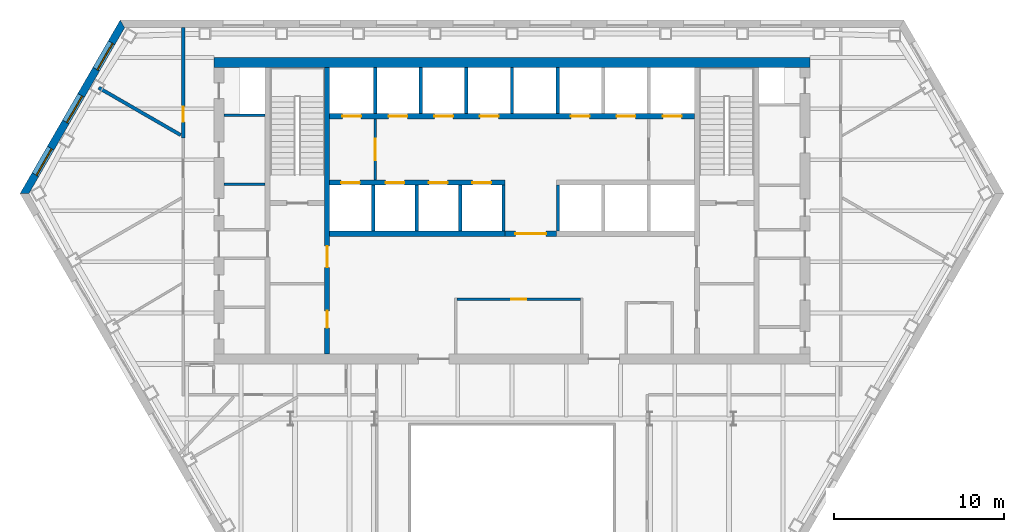
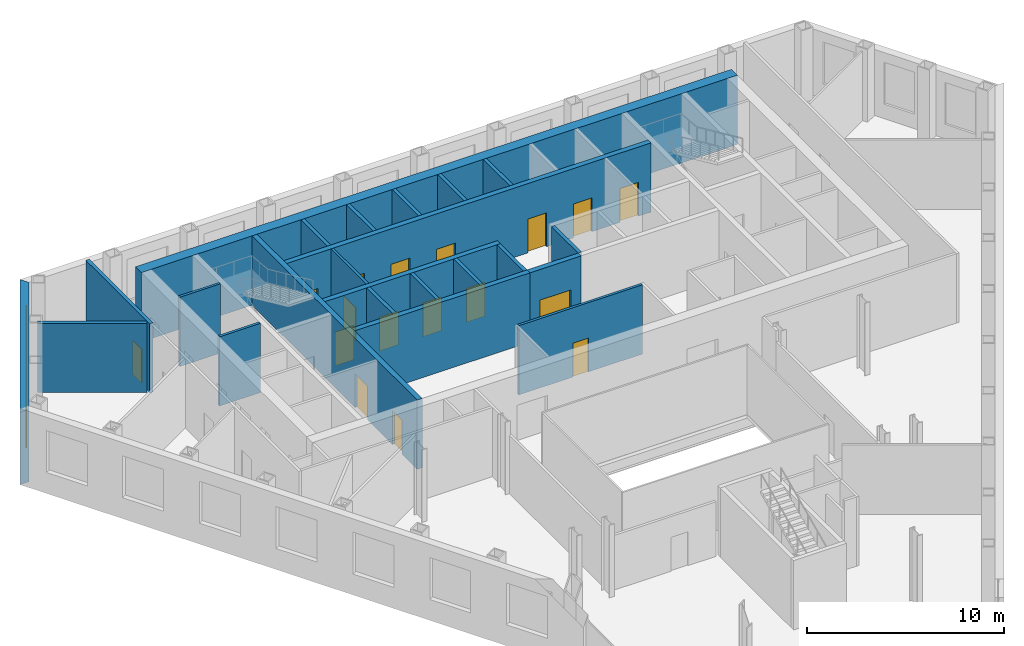
# One storey, part 6 of 11: 23 walls, 17 doors, 3 windows, 20 openings.
"""IFC4 building model written with IfcOpenShell, lengths in metres."""

from ifc_helpers import new_model, si_unit, direction, frame, frame_2d, origin, place, context, subcontext, project, spatial, polyline, rectangle, outline, extrude, material, layer, layer_set, type_object, element, fill, save


model = new_model("IFC4")

# Units and contexts
model_context = context("Model", 3, precision=1e-05, world=origin(), true_north=direction((0.0, 1.0)))
body_context = subcontext(model_context, "Body", "Model", "MODEL_VIEW")
ifc_project = project(units=[si_unit("LENGTHUNIT", "METRE"), si_unit("AREAUNIT", "SQUARE_METRE"), si_unit("VOLUMEUNIT", "CUBIC_METRE"), si_unit("PLANEANGLEUNIT", "RADIAN"), si_unit("MASSUNIT", "GRAM", prefix="KILO")], contexts=[model_context])

# Site, building, storey
site_placement = place(None, origin())
site = spatial("IfcSite", under=ifc_project, at=site_placement, CompositionType="ELEMENT")
building_placement = place(site_placement, origin())
building = spatial("IfcBuilding", under=site, at=building_placement, Name="Njiva Tower", CompositionType="ELEMENT")
storey_placement = place(building_placement, frame((0.0, 0.0, 42.3)))
storey = spatial("IfcBuildingStorey", under=building, at=storey_placement, Name="L08", CompositionType="ELEMENT", Elevation=42.3)

# Wall
ifc_material_1 = material(Name="Blockwork", Category="masonry")
ifc_layer_1 = layer(ifc_material_1, 0.15)
ifc_layer_set_1 = layer_set([ifc_layer_1], Name="Blockwork")
wall_type_1 = type_object("IfcWallType", Name="WT1 Compartment partition 150", PredefinedType="PARTITIONING", material=ifc_layer_set_1)
wall_1_placement = place(storey_placement, frame((-16.9, 10.5559, 0.0), z_axis=(0.0, 0.0, 1.0), x_axis=(1.0, 0.0, 0.0)))
element("IfcWall", 1, at=wall_1_placement, inside=storey, type_object=wall_type_1, Name="Partition strip W10", PredefinedType="PARTITIONING", context=body_context, shape_type="SweptSolid", body=[
    extrude(rectangle(XDim=2.4, YDim=0.15, at=frame_2d((1.2, 0.0))), origin(), (0.0, 0.0, 1.0), 4.3),
])

# Wall, opening, door
wall_2_placement = place(storey_placement, frame((-3.225, 3.8, 0.0), z_axis=(0.0, 0.0, 1.0), x_axis=(1.0, 0.0, 0.0)))
wall_2 = element("IfcWall", 2, at=wall_2_placement, inside=storey, type_object=wall_type_1, Name="Information office wall north", PredefinedType="PARTITIONING", context=body_context, shape_type="SweptSolid", body=[
    extrude(rectangle(XDim=7.25, YDim=0.15, at=frame_2d((3.625, 0.0))), origin(), (0.0, 0.0, 1.0), 4.3),
])
opening_1_placement = place(wall_2_placement, frame((3.175, 0.0, 0.0)))
opening_1 = element("IfcOpeningElement", 3, at=opening_1_placement, cuts=wall_2, Name="Opening S02-D934", PredefinedType="OPENING", context=body_context, shape_type="SweptSolid", body=[
    extrude(rectangle(XDim=0.9, YDim=2.1, at=frame_2d((0.45, 1.05))), frame((0.0, 0.085, 0.0), z_axis=(0.0, -1.0, 0.0), x_axis=(1.0, 0.0, 0.0)), (0.0, 0.0, 1.0), 0.17),
])
ifc_material_2 = material(Name="Steel fire door, painted", Category="steel")
door_type_1 = type_object("IfcDoorType", Name="D6 Fire-rated door 900x2100", OperationType="SINGLE_SWING_LEFT", PredefinedType="DOOR", material=ifc_material_2)
door_1_placement = place(opening_1_placement, origin())
door_1 = element("IfcDoor", 4, at=door_1_placement, inside=storey, type_object=door_type_1, Name="Information office door", OperationType="SINGLE_SWING_LEFT", OverallHeight=2.1, OverallWidth=0.9, PredefinedType="DOOR", context=body_context, shape_type="SweptSolid", body=[
    extrude(rectangle(XDim=0.9, YDim=2.1, at=frame_2d((0.45, 1.05))), frame((0.0, 0.025, 0.0), z_axis=(0.0, -1.0, 0.0), x_axis=(1.0, 0.0, 0.0)), (0.0, 0.0, 1.0), 0.05),
])
fill(opening_1, door_1)

# Wall, openings, doors
ifc_material_3 = material(Name="Concrete C40/50", Category="concrete")
ifc_layer_2 = layer(ifc_material_3, 0.3)
ifc_layer_set_2 = layer_set([ifc_layer_2], Name="Concrete C40/50")
wall_type_2 = type_object("IfcWallType", Name="WT10 Stair enclosure wall 300", PredefinedType="SHEAR", material=ifc_layer_set_2)
wall_3_placement = place(storey_placement, frame((-10.85, 0.6, 0.0), z_axis=(0.0, 0.0, 1.0), x_axis=(0.0, 1.0, 0.0)))
wall_3 = element("IfcWall", 5, at=wall_3_placement, inside=storey, type_object=wall_type_2, Name="Stair wall west inner", PredefinedType="SHEAR", context=body_context, shape_type="SweptSolid", body=[
    extrude(rectangle(XDim=16.8, YDim=0.3, at=frame_2d((8.4, 0.0))), origin(), (0.0, 0.0, 1.0), 4.3),
])
opening_2_placement = place(wall_3_placement, frame((5.075, 0.0, 0.0)))
opening_2 = element("IfcOpeningElement", 6, at=opening_2_placement, cuts=wall_3, Name="Opening S02-D914", PredefinedType="OPENING", context=body_context, shape_type="SweptSolid", body=[
    extrude(rectangle(XDim=1.25, YDim=2.1, at=frame_2d((0.625, 1.05))), frame((0.0, 0.16, 0.0), z_axis=(0.0, -1.0, 0.0), x_axis=(1.0, 0.0, 0.0)), (0.0, 0.0, 1.0), 0.32),
])
opening_3_placement = place(wall_3_placement, frame((1.525, 0.0, 0.0)))
opening_3 = element("IfcOpeningElement", 7, at=opening_3_placement, cuts=wall_3, Name="Opening S02-D915", PredefinedType="OPENING", context=body_context, shape_type="SweptSolid", body=[
    extrude(rectangle(XDim=1.0, YDim=2.1, at=frame_2d((0.5, 1.05))), frame((0.0, 0.16, 0.0), z_axis=(0.0, -1.0, 0.0), x_axis=(1.0, 0.0, 0.0)), (0.0, 0.0, 1.0), 0.32),
])
ifc_material_4 = material(Name="Steel door, painted", Category="steel")
door_type_2 = type_object("IfcDoorType", Name="D5 Steel door 1000x2100", OperationType="SINGLE_SWING_LEFT", PredefinedType="DOOR", material=ifc_material_4)
door_2_placement = place(opening_3_placement, origin())
door_2 = element("IfcDoor", 8, at=door_2_placement, inside=storey, type_object=door_type_2, Name="Breakout room door", OperationType="SINGLE_SWING_RIGHT", OverallHeight=2.1, OverallWidth=1.0, PredefinedType="DOOR", context=body_context, shape_type="SweptSolid", body=[
    extrude(rectangle(XDim=1.0, YDim=2.1, at=frame_2d((0.5, 1.05))), frame((0.0, 0.025, 0.0), z_axis=(0.0, -1.0, 0.0), x_axis=(1.0, 0.0, 0.0)), (0.0, 0.0, 1.0), 0.05),
])
fill(opening_3, door_2)
ifc_material_5 = material(Name="Glazed steel fire door", Category="steel")
door_type_3 = type_object("IfcDoorType", Name="D8 Vestibule corridor door 1250x2100 glazed", OperationType="SINGLE_SWING_LEFT", PredefinedType="DOOR", material=ifc_material_5)
door_3_placement = place(opening_2_placement, origin())
door_3 = element("IfcDoor", 9, at=door_3_placement, inside=storey, type_object=door_type_3, Name="Stair vestibule corridor door", OperationType="SINGLE_SWING_LEFT", OverallHeight=2.1, OverallWidth=1.25, PredefinedType="DOOR", context=body_context, shape_type="SweptSolid", body=[
    extrude(rectangle(XDim=1.25, YDim=2.1, at=frame_2d((0.625, 1.05))), frame((0.0, 0.025, 0.0), z_axis=(0.0, -1.0, 0.0), x_axis=(1.0, 0.0, 0.0)), (0.0, 0.0, 1.0), 0.05),
])
fill(opening_2, door_3)

# Wall
ifc_material_6 = material(Name="Concrete C60/75", Category="concrete")
ifc_layer_3 = layer(ifc_material_6, 0.6)
ifc_layer_set_3 = layer_set([ifc_layer_3], Name="Concrete C60/75")
wall_type_3 = type_object("IfcWallType", Name="WT15 Core wall 600", PredefinedType="SHEAR", material=ifc_layer_set_3)
wall_4_placement = place(storey_placement, frame((-17.5, 17.7, 0.0), z_axis=(0.0, 0.0, 1.0), x_axis=(1.0, 0.0, 0.0)))
element("IfcWall", 10, at=wall_4_placement, inside=storey, type_object=wall_type_3, Name="Core wall north", PredefinedType="SHEAR", context=body_context, shape_type="SweptSolid", body=[
    extrude(rectangle(XDim=35.0, YDim=0.6, at=frame_2d((17.5, 0.0))), origin(), (0.0, 0.0, 1.0), 4.3),
])

# Wall, opening, door
ifc_layer_4 = layer(ifc_material_1, 0.15)
ifc_layer_set_4 = layer_set([ifc_layer_4], Name="Blockwork")
wall_type_4 = type_object("IfcWallType", Name="WT2 Lobby partition 150", PredefinedType="PARTITIONING", material=ifc_layer_set_4)
wall_5_placement = place(storey_placement, frame((-8.025, 10.8, 0.0), z_axis=(0.0, 0.0, 1.0), x_axis=(0.0, 1.0, 0.0)))
wall_5 = element("IfcWall", 11, at=wall_5_placement, inside=storey, type_object=wall_type_4, Name="Firefighting lobby wall A", PredefinedType="PARTITIONING", context=body_context, shape_type="SweptSolid", body=[
    extrude(rectangle(XDim=3.6, YDim=0.15, at=frame_2d((1.8, 0.0))), origin(), (0.0, 0.0, 1.0), 4.3),
])
opening_4_placement = place(wall_5_placement, frame((1.175, 0.0, 0.0)))
opening_4 = element("IfcOpeningElement", 12, at=opening_4_placement, cuts=wall_5, Name="Opening S02-D912", PredefinedType="OPENING", context=body_context, shape_type="SweptSolid", body=[
    extrude(rectangle(XDim=1.25, YDim=2.1, at=frame_2d((0.625, 1.05))), frame((0.0, 0.085, 0.0), z_axis=(0.0, -1.0, 0.0), x_axis=(1.0, 0.0, 0.0)), (0.0, 0.0, 1.0), 0.17),
])
door_4_placement = place(opening_4_placement, origin())
door_4 = element("IfcDoor", 13, at=door_4_placement, inside=storey, type_object=door_type_3, Name="Stair vestibule corridor door", OperationType="SINGLE_SWING_RIGHT", OverallHeight=2.1, OverallWidth=1.25, PredefinedType="DOOR", context=body_context, shape_type="SweptSolid", body=[
    extrude(rectangle(XDim=1.25, YDim=2.1, at=frame_2d((0.625, 1.05))), frame((0.0, 0.025, 0.0), z_axis=(0.0, -1.0, 0.0), x_axis=(1.0, 0.0, 0.0)), (0.0, 0.0, 1.0), 0.05),
])
fill(opening_4, door_4)

# Wall
ifc_layer_5 = layer(ifc_material_1, 0.2)
ifc_layer_set_5 = layer_set([ifc_layer_5], Name="Blockwork")
wall_type_5 = type_object("IfcWallType", Name="WT22 Plant room wall 200", PredefinedType="PARTITIONING", material=ifc_layer_set_5)
wall_6_placement = place(storey_placement, frame((-24.263, 16.222, 0.0), z_axis=(0.0, 0.0, 1.0), x_axis=(0.86616461284, -0.499758805289, 0.0)))
element("IfcWall", 14, at=wall_6_placement, inside=storey, type_object=wall_type_5, Name="Partition S02-P002", PredefinedType="PARTITIONING", context=body_context, shape_type="SweptSolid", body=[
    extrude(rectangle(XDim=5.5567, YDim=0.2, at=frame_2d((2.7784, 0.0))), origin(), (0.0, 0.0, 1.0), 4.3),
])

# Wall, opening, door
wall_7_placement = place(storey_placement, frame((-19.3, 13.258, 0.0), z_axis=(0.0, 0.0, 1.0), x_axis=(0.0, 1.0, 0.0)))
wall_7 = element("IfcWall", 15, at=wall_7_placement, inside=storey, type_object=wall_type_5, Name="Partition S02-P006", PredefinedType="PARTITIONING", context=body_context, shape_type="SweptSolid", body=[
    extrude(rectangle(XDim=6.491, YDim=0.2, at=frame_2d((3.2455, 0.0))), origin(), (0.0, 0.0, 1.0), 4.3),
])
opening_5_placement = place(wall_7_placement, frame((0.955, 0.0, 0.0)))
opening_5 = element("IfcOpeningElement", 16, at=opening_5_placement, cuts=wall_7, Name="Opening S02-D004", PredefinedType="OPENING", context=body_context, shape_type="SweptSolid", body=[
    extrude(rectangle(XDim=0.9, YDim=2.1, at=frame_2d((0.45, 1.05))), frame((0.0, 0.11, 0.0), z_axis=(0.0, -1.0, 0.0), x_axis=(1.0, 0.0, 0.0)), (0.0, 0.0, 1.0), 0.22),
])
ifc_material_7 = material(Name="Steel fire door set", Category="steel")
door_type_4 = type_object("IfcDoorType", Name="D36 Fire door 900x2100", OperationType="SINGLE_SWING_LEFT", PredefinedType="DOOR", material=ifc_material_7)
door_5_placement = place(opening_5_placement, origin())
door_5 = element("IfcDoor", 17, at=door_5_placement, inside=storey, type_object=door_type_4, Name="Door S02-D004", OperationType="SINGLE_SWING_RIGHT", OverallHeight=2.1, OverallWidth=0.9, PredefinedType="DOOR", context=body_context, shape_type="SweptSolid", body=[
    extrude(rectangle(XDim=0.9, YDim=2.1, at=frame_2d((0.45, 1.05))), frame((0.0, 0.025, 0.0), z_axis=(0.0, -1.0, 0.0), x_axis=(1.0, 0.0, 0.0)), (0.0, 0.0, 1.0), 0.05),
])
fill(opening_5, door_5)

# Wall
ifc_layer_6 = layer(ifc_material_1, 0.15)
ifc_layer_set_6 = layer_set([ifc_layer_6], Name="Blockwork")
wall_type_6 = type_object("IfcWallType", Name="WT3 Riser partition 150", PredefinedType="PARTITIONING", material=ifc_layer_set_6)
wall_8_placement = place(storey_placement, frame((-16.9, 14.5995, 0.0), z_axis=(0.0, 0.0, 1.0), x_axis=(1.0, 0.0, 0.0)))
element("IfcWall", 18, at=wall_8_placement, inside=storey, type_object=wall_type_6, Name="Partition strip W11", PredefinedType="PARTITIONING", context=body_context, shape_type="SweptSolid", body=[
    extrude(rectangle(XDim=2.4, YDim=0.15, at=frame_2d((1.2, 0.0))), origin(), (0.0, 0.0, 1.0), 4.3),
])

# Wall, opening, door
ifc_layer_7 = layer(ifc_material_1, 0.3)
ifc_layer_set_7 = layer_set([ifc_layer_7], Name="Blockwork")
wall_type_7 = type_object("IfcWallType", Name="WT5 Lobby partition 300", PredefinedType="PARTITIONING", material=ifc_layer_set_7)
wall_9_placement = place(storey_placement, frame((-0.4, 7.65, 0.0), z_axis=(0.0, 0.0, 1.0), x_axis=(1.0, 0.0, 0.0)))
wall_9 = element("IfcWall", 19, at=wall_9_placement, inside=storey, type_object=wall_type_7, Name="Lift lobby screen wall", PredefinedType="PARTITIONING", context=body_context, shape_type="SweptSolid", body=[
    extrude(rectangle(XDim=3.0, YDim=0.3, at=frame_2d((1.5, 0.0))), origin(), (0.0, 0.0, 1.0), 4.3),
])
opening_6_placement = place(wall_9_placement, frame((0.6, 0.0, 0.0)))
opening_6 = element("IfcOpeningElement", 20, at=opening_6_placement, cuts=wall_9, Name="Opening S02-D936", PredefinedType="OPENING", context=body_context, shape_type="SweptSolid", body=[
    extrude(rectangle(XDim=1.8, YDim=2.4, at=frame_2d((0.9, 1.2))), frame((0.0, 0.16, 0.0), z_axis=(0.0, -1.0, 0.0), x_axis=(1.0, 0.0, 0.0)), (0.0, 0.0, 1.0), 0.32),
])
ifc_material_8 = material(Name="Steel and glass door", Category="steel")
door_type_5 = type_object("IfcDoorType", Name="D3 Core entrance door 1800x2400", OperationType="DOUBLE_DOOR_SINGLE_SWING", PredefinedType="DOOR", material=ifc_material_8)
door_6_placement = place(opening_6_placement, origin())
door_6 = element("IfcDoor", 21, at=door_6_placement, inside=storey, type_object=door_type_5, Name="Core entrance door", OperationType="DOUBLE_DOOR_SINGLE_SWING", OverallHeight=2.4, OverallWidth=1.8, PredefinedType="DOOR", context=body_context, shape_type="SweptSolid", body=[
    extrude(rectangle(XDim=1.8, YDim=2.4, at=frame_2d((0.9, 1.2))), frame((0.0, 0.025, 0.0), z_axis=(0.0, -1.0, 0.0), x_axis=(1.0, 0.0, 0.0)), (0.0, 0.0, 1.0), 0.05),
])
fill(opening_6, door_6)

# Walls
ifc_layer_8 = layer(ifc_material_3, 0.2)
ifc_layer_set_8 = layer_set([ifc_layer_8], Name="Concrete C40/50")
wall_type_8 = type_object("IfcWallType", Name="WT6 Lift shaft wall 200", PredefinedType="SHEAR", material=ifc_layer_set_8)
for number, where, z_axis, x_axis, name in (
    (22, (-8.025, 14.7, 0.0), (0.0, 0.0, 1.0), (0.0, 1.0, 0.0), "Shaft wall CN1"),
    (23, (-5.35, 14.7, 0.0), (0.0, 0.0, 1.0), (0.0, 1.0, 0.0), "Shaft wall CN2"),
    (24, (-2.675, 14.7, 0.0), (0.0, 0.0, 1.0), (0.0, 1.0, 0.0), "Shaft wall CN3"),
    (25, (0.0, 14.7, 0.0), (0.0, 0.0, 1.0), (0.0, 1.0, 0.0), "Shaft wall CN4"),
    (26, (2.675, 14.7, 0.0), (0.0, 0.0, 1.0), (0.0, 1.0, 0.0), "Shaft wall CN5"),
    (27, (-8.15, 7.8, 0.0), (0.0, 0.0, 1.0), (0.0, 1.0, 0.0), "Shaft wall CS1"),
    (28, (-5.6, 7.8, 0.0), (0.0, 0.0, 1.0), (0.0, 1.0, 0.0), "Shaft wall CS2"),
    (29, (-3.05, 7.8, 0.0), (0.0, 0.0, 1.0), (0.0, 1.0, 0.0), "Shaft wall CS3"),
    (30, (-0.5, 7.8, 0.0), (0.0, 0.0, 1.0), (0.0, 1.0, 0.0), "Shaft wall CS4"),
    (31, (2.7, 7.8, 0.0), (0.0, 0.0, 1.0), (0.0, 1.0, 0.0), "Shaft wall CS5"),
):
    element("IfcWall", number, at=place(storey_placement, frame(where, z_axis=z_axis, x_axis=x_axis)), inside=storey, type_object=wall_type_8, Name=name, PredefinedType="SHEAR", context=body_context, shape_type="SweptSolid", body=[
        extrude(rectangle(XDim=2.7, YDim=0.2, at=frame_2d((1.35, 0.0))), origin(), (0.0, 0.0, 1.0), 4.3),
    ])

# Wall, openings, doors
ifc_layer_9 = layer(ifc_material_3, 0.3)
ifc_layer_set_9 = layer_set([ifc_layer_9], Name="Concrete C40/50")
wall_type_9 = type_object("IfcWallType", Name="WT7 Lift shaft wall 300", PredefinedType="SHEAR", material=ifc_layer_set_9)
wall_10_placement = place(storey_placement, frame((-10.7, 14.55, 0.0), z_axis=(0.0, 0.0, 1.0), x_axis=(1.0, 0.0, 0.0)))
wall_10 = element("IfcWall", 32, at=wall_10_placement, inside=storey, type_object=wall_type_9, Name="Shaft wall north row lobby side", PredefinedType="SHEAR", context=body_context, shape_type="SweptSolid", body=[
    extrude(rectangle(XDim=21.4, YDim=0.3, at=frame_2d((10.7, 0.0))), origin(), (0.0, 0.0, 1.0), 4.3),
])
opening_7_placement = place(wall_10_placement, frame((0.7375, 0.0, 0.0)))
opening_7 = element("IfcOpeningElement", 33, at=opening_7_placement, cuts=wall_10, Name="Opening S02-D901", PredefinedType="OPENING", context=body_context, shape_type="SweptSolid", body=[
    extrude(rectangle(XDim=1.1, YDim=2.1, at=frame_2d((0.55, 1.05))), frame((0.0, 0.16, 0.0), z_axis=(0.0, -1.0, 0.0), x_axis=(1.0, 0.0, 0.0)), (0.0, 0.0, 1.0), 0.32),
])
opening_8_placement = place(wall_10_placement, frame((3.4625, 0.0, 0.0)))
opening_8 = element("IfcOpeningElement", 34, at=opening_8_placement, cuts=wall_10, Name="Opening S02-D902", PredefinedType="OPENING", context=body_context, shape_type="SweptSolid", body=[
    extrude(rectangle(XDim=1.1, YDim=2.1, at=frame_2d((0.55, 1.05))), frame((0.0, 0.16, 0.0), z_axis=(0.0, -1.0, 0.0), x_axis=(1.0, 0.0, 0.0)), (0.0, 0.0, 1.0), 0.32),
])
opening_9_placement = place(wall_10_placement, frame((6.1375, 0.0, 0.0)))
opening_9 = element("IfcOpeningElement", 35, at=opening_9_placement, cuts=wall_10, Name="Opening S02-D903", PredefinedType="OPENING", context=body_context, shape_type="SweptSolid", body=[
    extrude(rectangle(XDim=1.1, YDim=2.1, at=frame_2d((0.55, 1.05))), frame((0.0, 0.16, 0.0), z_axis=(0.0, -1.0, 0.0), x_axis=(1.0, 0.0, 0.0)), (0.0, 0.0, 1.0), 0.32),
])
opening_10_placement = place(wall_10_placement, frame((8.8125, 0.0, 0.0)))
opening_10 = element("IfcOpeningElement", 36, at=opening_10_placement, cuts=wall_10, Name="Opening S02-D904", PredefinedType="OPENING", context=body_context, shape_type="SweptSolid", body=[
    extrude(rectangle(XDim=1.1, YDim=2.1, at=frame_2d((0.55, 1.05))), frame((0.0, 0.16, 0.0), z_axis=(0.0, -1.0, 0.0), x_axis=(1.0, 0.0, 0.0)), (0.0, 0.0, 1.0), 0.32),
])
opening_11_placement = place(wall_10_placement, frame((14.1625, 0.0, 0.0)))
opening_11 = element("IfcOpeningElement", 37, at=opening_11_placement, cuts=wall_10, Name="Opening S02-D905", PredefinedType="OPENING", context=body_context, shape_type="SweptSolid", body=[
    extrude(rectangle(XDim=1.1, YDim=2.1, at=frame_2d((0.55, 1.05))), frame((0.0, 0.16, 0.0), z_axis=(0.0, -1.0, 0.0), x_axis=(1.0, 0.0, 0.0)), (0.0, 0.0, 1.0), 0.32),
])
opening_12_placement = place(wall_10_placement, frame((16.8375, 0.0, 0.0)))
opening_12 = element("IfcOpeningElement", 38, at=opening_12_placement, cuts=wall_10, Name="Opening S02-D906", PredefinedType="OPENING", context=body_context, shape_type="SweptSolid", body=[
    extrude(rectangle(XDim=1.1, YDim=2.1, at=frame_2d((0.55, 1.05))), frame((0.0, 0.16, 0.0), z_axis=(0.0, -1.0, 0.0), x_axis=(1.0, 0.0, 0.0)), (0.0, 0.0, 1.0), 0.32),
])
opening_13_placement = place(wall_10_placement, frame((19.5625, 0.0, 0.0)))
opening_13 = element("IfcOpeningElement", 39, at=opening_13_placement, cuts=wall_10, Name="Opening S02-D907", PredefinedType="OPENING", context=body_context, shape_type="SweptSolid", body=[
    extrude(rectangle(XDim=1.1, YDim=2.1, at=frame_2d((0.55, 1.05))), frame((0.0, 0.16, 0.0), z_axis=(0.0, -1.0, 0.0), x_axis=(1.0, 0.0, 0.0)), (0.0, 0.0, 1.0), 0.32),
])
ifc_material_9 = material(Name="Stainless steel sliding door", Category="steel")
door_type_6 = type_object("IfcDoorType", Name="LD Lift landing door 1100x2100", OperationType="SLIDING_TO_LEFT", PredefinedType="DOOR", material=ifc_material_9)
door_7_placement = place(opening_7_placement, origin())
door_7 = element("IfcDoor", 40, at=door_7_placement, inside=storey, type_object=door_type_6, Name="Lift landing door FF1", OperationType="SLIDING_TO_LEFT", OverallHeight=2.1, OverallWidth=1.1, PredefinedType="DOOR", context=body_context, shape_type="SweptSolid", body=[
    extrude(rectangle(XDim=1.1, YDim=2.1, at=frame_2d((0.55, 1.05))), frame((0.0, 0.025, 0.0), z_axis=(0.0, -1.0, 0.0), x_axis=(1.0, 0.0, 0.0)), (0.0, 0.0, 1.0), 0.05),
])
fill(opening_7, door_7)
door_8_placement = place(opening_8_placement, origin())
door_8 = element("IfcDoor", 41, at=door_8_placement, inside=storey, type_object=door_type_6, Name="Lift landing door LB1", OperationType="SLIDING_TO_LEFT", OverallHeight=2.1, OverallWidth=1.1, PredefinedType="DOOR", context=body_context, shape_type="SweptSolid", body=[
    extrude(rectangle(XDim=1.1, YDim=2.1, at=frame_2d((0.55, 1.05))), frame((0.0, 0.025, 0.0), z_axis=(0.0, -1.0, 0.0), x_axis=(1.0, 0.0, 0.0)), (0.0, 0.0, 1.0), 0.05),
])
fill(opening_8, door_8)
door_9_placement = place(opening_9_placement, origin())
door_9 = element("IfcDoor", 42, at=door_9_placement, inside=storey, type_object=door_type_6, Name="Lift landing door LB2", OperationType="SLIDING_TO_LEFT", OverallHeight=2.1, OverallWidth=1.1, PredefinedType="DOOR", context=body_context, shape_type="SweptSolid", body=[
    extrude(rectangle(XDim=1.1, YDim=2.1, at=frame_2d((0.55, 1.05))), frame((0.0, 0.025, 0.0), z_axis=(0.0, -1.0, 0.0), x_axis=(1.0, 0.0, 0.0)), (0.0, 0.0, 1.0), 0.05),
])
fill(opening_9, door_9)
door_10_placement = place(opening_10_placement, origin())
door_10 = element("IfcDoor", 43, at=door_10_placement, inside=storey, type_object=door_type_6, Name="Lift landing door LB3", OperationType="SLIDING_TO_LEFT", OverallHeight=2.1, OverallWidth=1.1, PredefinedType="DOOR", context=body_context, shape_type="SweptSolid", body=[
    extrude(rectangle(XDim=1.1, YDim=2.1, at=frame_2d((0.55, 1.05))), frame((0.0, 0.025, 0.0), z_axis=(0.0, -1.0, 0.0), x_axis=(1.0, 0.0, 0.0)), (0.0, 0.0, 1.0), 0.05),
])
fill(opening_10, door_10)
door_11_placement = place(opening_11_placement, origin())
door_11 = element("IfcDoor", 44, at=door_11_placement, inside=storey, type_object=door_type_6, Name="Lift landing door FR1", OperationType="SLIDING_TO_LEFT", OverallHeight=2.1, OverallWidth=1.1, PredefinedType="DOOR", context=body_context, shape_type="SweptSolid", body=[
    extrude(rectangle(XDim=1.1, YDim=2.1, at=frame_2d((0.55, 1.05))), frame((0.0, 0.025, 0.0), z_axis=(0.0, -1.0, 0.0), x_axis=(1.0, 0.0, 0.0)), (0.0, 0.0, 1.0), 0.05),
])
fill(opening_11, door_11)
door_12_placement = place(opening_12_placement, origin())
door_12 = element("IfcDoor", 45, at=door_12_placement, inside=storey, type_object=door_type_6, Name="Lift landing door FR2", OperationType="SLIDING_TO_LEFT", OverallHeight=2.1, OverallWidth=1.1, PredefinedType="DOOR", context=body_context, shape_type="SweptSolid", body=[
    extrude(rectangle(XDim=1.1, YDim=2.1, at=frame_2d((0.55, 1.05))), frame((0.0, 0.025, 0.0), z_axis=(0.0, -1.0, 0.0), x_axis=(1.0, 0.0, 0.0)), (0.0, 0.0, 1.0), 0.05),
])
fill(opening_12, door_12)
door_13_placement = place(opening_13_placement, origin())
door_13 = element("IfcDoor", 46, at=door_13_placement, inside=storey, type_object=door_type_6, Name="Lift landing door FF2", OperationType="SLIDING_TO_LEFT", OverallHeight=2.1, OverallWidth=1.1, PredefinedType="DOOR", context=body_context, shape_type="SweptSolid", body=[
    extrude(rectangle(XDim=1.1, YDim=2.1, at=frame_2d((0.55, 1.05))), frame((0.0, 0.025, 0.0), z_axis=(0.0, -1.0, 0.0), x_axis=(1.0, 0.0, 0.0)), (0.0, 0.0, 1.0), 0.05),
])
fill(opening_13, door_13)

wall_11_placement = place(storey_placement, frame((-10.7, 10.65, 0.0), z_axis=(0.0, 0.0, 1.0), x_axis=(1.0, 0.0, 0.0)))
wall_11 = element("IfcWall", 47, at=wall_11_placement, inside=storey, type_object=wall_type_9, Name="Shaft wall south row lobby side W", PredefinedType="SHEAR", context=body_context, shape_type="SweptSolid", body=[
    extrude(rectangle(XDim=10.3, YDim=0.3, at=frame_2d((5.15, 0.0))), origin(), (0.0, 0.0, 1.0), 4.3),
])
opening_14_placement = place(wall_11_placement, frame((0.675, 0.0, 0.0)))
opening_14 = element("IfcOpeningElement", 48, at=opening_14_placement, cuts=wall_11, Name="Opening S02-D908", PredefinedType="OPENING", context=body_context, shape_type="SweptSolid", body=[
    extrude(rectangle(XDim=1.1, YDim=2.1, at=frame_2d((0.55, 1.05))), frame((0.0, 0.16, 0.0), z_axis=(0.0, -1.0, 0.0), x_axis=(1.0, 0.0, 0.0)), (0.0, 0.0, 1.0), 0.32),
])
opening_15_placement = place(wall_11_placement, frame((3.275, 0.0, 0.0)))
opening_15 = element("IfcOpeningElement", 49, at=opening_15_placement, cuts=wall_11, Name="Opening S02-D909", PredefinedType="OPENING", context=body_context, shape_type="SweptSolid", body=[
    extrude(rectangle(XDim=1.1, YDim=2.1, at=frame_2d((0.55, 1.05))), frame((0.0, 0.16, 0.0), z_axis=(0.0, -1.0, 0.0), x_axis=(1.0, 0.0, 0.0)), (0.0, 0.0, 1.0), 0.32),
])
opening_16_placement = place(wall_11_placement, frame((5.825, 0.0, 0.0)))
opening_16 = element("IfcOpeningElement", 50, at=opening_16_placement, cuts=wall_11, Name="Opening S02-D910", PredefinedType="OPENING", context=body_context, shape_type="SweptSolid", body=[
    extrude(rectangle(XDim=1.1, YDim=2.1, at=frame_2d((0.55, 1.05))), frame((0.0, 0.16, 0.0), z_axis=(0.0, -1.0, 0.0), x_axis=(1.0, 0.0, 0.0)), (0.0, 0.0, 1.0), 0.32),
])
opening_17_placement = place(wall_11_placement, frame((8.375, 0.0, 0.0)))
opening_17 = element("IfcOpeningElement", 51, at=opening_17_placement, cuts=wall_11, Name="Opening S02-D911", PredefinedType="OPENING", context=body_context, shape_type="SweptSolid", body=[
    extrude(rectangle(XDim=1.1, YDim=2.1, at=frame_2d((0.55, 1.05))), frame((0.0, 0.16, 0.0), z_axis=(0.0, -1.0, 0.0), x_axis=(1.0, 0.0, 0.0)), (0.0, 0.0, 1.0), 0.32),
])
door_14_placement = place(opening_14_placement, origin())
door_14 = element("IfcDoor", 52, at=door_14_placement, inside=storey, type_object=door_type_6, Name="Lift landing door LB4", OperationType="SLIDING_TO_LEFT", OverallHeight=2.1, OverallWidth=1.1, PredefinedType="DOOR", context=body_context, shape_type="SweptSolid", body=[
    extrude(rectangle(XDim=1.1, YDim=2.1, at=frame_2d((0.55, 1.05))), frame((0.0, 0.025, 0.0), z_axis=(0.0, -1.0, 0.0), x_axis=(1.0, 0.0, 0.0)), (0.0, 0.0, 1.0), 0.05),
])
fill(opening_14, door_14)
door_15_placement = place(opening_15_placement, origin())
door_15 = element("IfcDoor", 53, at=door_15_placement, inside=storey, type_object=door_type_6, Name="Lift landing door LB5", OperationType="SLIDING_TO_LEFT", OverallHeight=2.1, OverallWidth=1.1, PredefinedType="DOOR", context=body_context, shape_type="SweptSolid", body=[
    extrude(rectangle(XDim=1.1, YDim=2.1, at=frame_2d((0.55, 1.05))), frame((0.0, 0.025, 0.0), z_axis=(0.0, -1.0, 0.0), x_axis=(1.0, 0.0, 0.0)), (0.0, 0.0, 1.0), 0.05),
])
fill(opening_15, door_15)
door_16_placement = place(opening_16_placement, origin())
door_16 = element("IfcDoor", 54, at=door_16_placement, inside=storey, type_object=door_type_6, Name="Lift landing door LB6", OperationType="SLIDING_TO_LEFT", OverallHeight=2.1, OverallWidth=1.1, PredefinedType="DOOR", context=body_context, shape_type="SweptSolid", body=[
    extrude(rectangle(XDim=1.1, YDim=2.1, at=frame_2d((0.55, 1.05))), frame((0.0, 0.025, 0.0), z_axis=(0.0, -1.0, 0.0), x_axis=(1.0, 0.0, 0.0)), (0.0, 0.0, 1.0), 0.05),
])
fill(opening_16, door_16)
door_17_placement = place(opening_17_placement, origin())
door_17 = element("IfcDoor", 55, at=door_17_placement, inside=storey, type_object=door_type_6, Name="Lift landing door LB7", OperationType="SLIDING_TO_LEFT", OverallHeight=2.1, OverallWidth=1.1, PredefinedType="DOOR", context=body_context, shape_type="SweptSolid", body=[
    extrude(rectangle(XDim=1.1, YDim=2.1, at=frame_2d((0.55, 1.05))), frame((0.0, 0.025, 0.0), z_axis=(0.0, -1.0, 0.0), x_axis=(1.0, 0.0, 0.0)), (0.0, 0.0, 1.0), 0.05),
])
fill(opening_17, door_17)

# Wall
wall_12_placement = place(storey_placement, frame((-10.7, 7.65, 0.0), z_axis=(0.0, 0.0, 1.0), x_axis=(1.0, 0.0, 0.0)))
element("IfcWall", 56, at=wall_12_placement, inside=storey, type_object=wall_type_9, Name="Shaft wall south row back W", PredefinedType="SHEAR", context=body_context, shape_type="SweptSolid", body=[
    extrude(rectangle(XDim=10.3, YDim=0.3, at=frame_2d((5.15, 0.0))), origin(), (0.0, 0.0, 1.0), 4.3),
])

# Wall, openings, windows
ifc_material_10 = material(Name="Brick masonry, buff", Category="masonry")
ifc_layer_10 = layer(ifc_material_10, 0.45)
ifc_layer_set_10 = layer_set([ifc_layer_10], Name="Brick masonry, buff")
wall_type_10 = type_object("IfcWallType", Name="WT94 Brick pier and spandrel wall 450, buff", PredefinedType="SOLIDWALL", material=ifc_layer_set_10)
wall_13_placement = place(storey_placement, frame((-22.8713, 19.9728, -0.4), z_axis=(0.0, 0.0, 1.0), x_axis=(-0.500002460556, -0.866023983177, 0.0)))
wall_13 = element("IfcWall", 57, at=wall_13_placement, inside=storey, type_object=wall_type_10, Name="Facade wall NW", PredefinedType="SOLIDWALL", context=body_context, shape_type="SweptSolid", body=[
    extrude(outline(polyline([(-0.1299, -0.225), (11.63, -0.225), (11.3702, 0.225), (0.1299, 0.225), (-0.1299, -0.225)])), origin(), (0.0, 0.0, 1.0), 4.5),
])
opening_18_placement = place(wall_13_placement, frame((1.2764, 0.0, 1.3)))
opening_18 = element("IfcOpeningElement", 58, at=opening_18_placement, cuts=wall_13, Name="Opening S02-W09", PredefinedType="OPENING", context=body_context, shape_type="SweptSolid", body=[
    extrude(rectangle(XDim=1.8, YDim=2.6, at=frame_2d((0.9, 1.3))), frame((0.0, 0.235, 0.0), z_axis=(0.0, -1.0, 0.0), x_axis=(1.0, 0.0, 0.0)), (0.0, 0.0, 1.0), 0.47),
])
opening_19_placement = place(wall_13_placement, frame((4.8501, 0.0, 1.3)))
opening_19 = element("IfcOpeningElement", 59, at=opening_19_placement, cuts=wall_13, Name="Opening S02-W10", PredefinedType="OPENING", context=body_context, shape_type="SweptSolid", body=[
    extrude(rectangle(XDim=1.8, YDim=2.6, at=frame_2d((0.9, 1.3))), frame((0.0, 0.235, 0.0), z_axis=(0.0, -1.0, 0.0), x_axis=(1.0, 0.0, 0.0)), (0.0, 0.0, 1.0), 0.47),
])
opening_20_placement = place(wall_13_placement, frame((8.4237, 0.0, 1.3)))
opening_20 = element("IfcOpeningElement", 60, at=opening_20_placement, cuts=wall_13, Name="Opening S02-W11", PredefinedType="OPENING", context=body_context, shape_type="SweptSolid", body=[
    extrude(rectangle(XDim=1.8, YDim=2.6, at=frame_2d((0.9, 1.3))), frame((0.0, 0.235, 0.0), z_axis=(0.0, -1.0, 0.0), x_axis=(1.0, 0.0, 0.0)), (0.0, 0.0, 1.0), 0.47),
])
ifc_material_11 = material(Name="Clear glazing in aluminium frame", Category="aluminium")
window_type = type_object("IfcWindowType", Name="W96 Deep-set window 1800x2600", PartitioningType="SINGLE_PANEL", PredefinedType="WINDOW", material=ifc_material_11)
window_1_placement = place(opening_18_placement, origin())
window_1 = element("IfcWindow", 61, at=window_1_placement, inside=storey, type_object=window_type, Name="Window", OverallHeight=2.6, OverallWidth=1.8, PartitioningType="SINGLE_PANEL", PredefinedType="WINDOW", context=body_context, shape_type="SweptSolid", body=[
    extrude(rectangle(XDim=1.8, YDim=2.6, at=frame_2d((0.9, 1.3))), frame((0.0, 0.105, 0.0), z_axis=(0.0, -1.0, 0.0), x_axis=(1.0, 0.0, 0.0)), (0.0, 0.0, 1.0), 0.06),
])
fill(opening_18, window_1)
window_2_placement = place(opening_19_placement, origin())
window_2 = element("IfcWindow", 62, at=window_2_placement, inside=storey, type_object=window_type, Name="Window", OverallHeight=2.6, OverallWidth=1.8, PartitioningType="SINGLE_PANEL", PredefinedType="WINDOW", context=body_context, shape_type="SweptSolid", body=[
    extrude(rectangle(XDim=1.8, YDim=2.6, at=frame_2d((0.9, 1.3))), frame((0.0, 0.105, 0.0), z_axis=(0.0, -1.0, 0.0), x_axis=(1.0, 0.0, 0.0)), (0.0, 0.0, 1.0), 0.06),
])
fill(opening_19, window_2)
window_3_placement = place(opening_20_placement, origin())
window_3 = element("IfcWindow", 63, at=window_3_placement, inside=storey, type_object=window_type, Name="Window", OverallHeight=2.6, OverallWidth=1.8, PartitioningType="SINGLE_PANEL", PredefinedType="WINDOW", context=body_context, shape_type="SweptSolid", body=[
    extrude(rectangle(XDim=1.8, YDim=2.6, at=frame_2d((0.9, 1.3))), frame((0.0, 0.105, 0.0), z_axis=(0.0, -1.0, 0.0), x_axis=(1.0, 0.0, 0.0)), (0.0, 0.0, 1.0), 0.06),
])
fill(opening_20, window_3)

save(model, "model.ifc")
